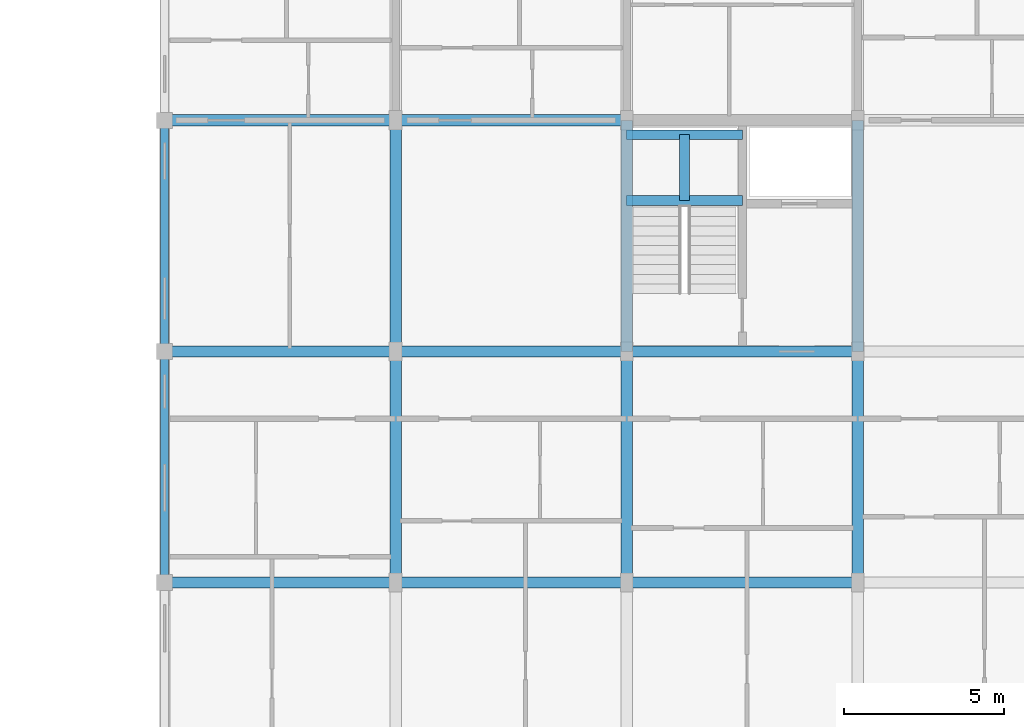
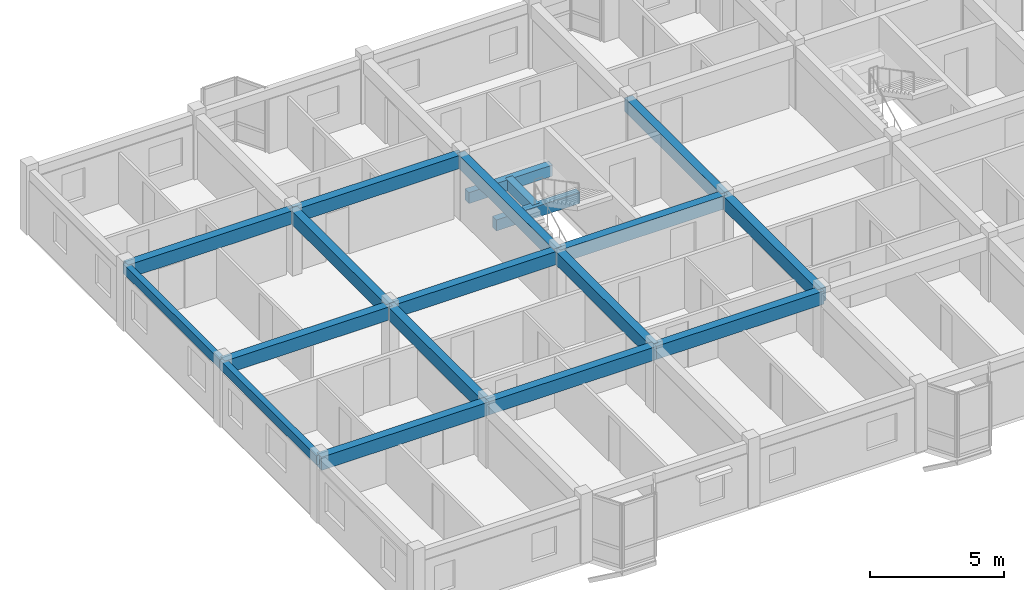
# One storey, part 32 of 70: 19 beams.
"""IFC4 building model written with IfcOpenShell, lengths in metres."""

from ifc_helpers import new_model, si_unit, direction, frame, origin, origin_2d, place, context, subcontext, project, spatial, rectangle, extrude, material, material_profile, profile_set, type_object, element, save


model = new_model("IFC4")

# Units and contexts
model_context = context("Model", 3, precision=1e-05, world=origin(), true_north=direction((0.0, 1.0)))
body_context = subcontext(model_context, "Body", "Model", "MODEL_VIEW")
ifc_project = project(units=[si_unit("LENGTHUNIT", "METRE"), si_unit("AREAUNIT", "SQUARE_METRE"), si_unit("VOLUMEUNIT", "CUBIC_METRE"), si_unit("PLANEANGLEUNIT", "RADIAN"), si_unit("MASSUNIT", "GRAM", prefix="KILO"), si_unit("THERMODYNAMICTEMPERATUREUNIT", "KELVIN"), si_unit("POWERUNIT", "WATT")], contexts=[model_context])

# Site, building, storey
site_placement = place(None, origin())
site = spatial("IfcSite", under=ifc_project, at=site_placement, CompositionType="ELEMENT")
building_placement = place(site_placement, origin())
building = spatial("IfcBuilding", under=site, at=building_placement, Name="Tavuni Mirador Residences", CompositionType="ELEMENT")
storey_placement = place(building_placement, frame((0.0, 0.0, 23.39990234375)))
storey = spatial("IfcBuildingStorey", under=building, at=storey_placement, Name="L07", CompositionType="ELEMENT", Elevation=23.39990234375)

# Beams
ifc_material = material(Name="Precast concrete C40/50", Category="concrete")
ifc_material_profile_1 = material_profile(ifc_material, rectangle(XDim=0.300048828125, YDim=0.5, at=origin_2d()), Name="PC 300x500", Category="concrete")
ifc_profile_set_1 = profile_set([ifc_material_profile_1], Name="Precast concrete C40/50")
beam_type_1 = type_object("IfcBeamType", Name="BT-B500", PredefinedType="BEAM", material=ifc_profile_set_1)
for number, where, z_axis, x_axis, name in (
    (1, (25.199951171875, 163.10009765625, 1.14501953125), (1.0, 0.0, 0.0), (0.0, 1.0, 0.0), "HLB1-C5-L07"),
    (2, (25.199951171875, 165.14990234375, 1.14501953125), (1.0, 0.0, 0.0), (0.0, 1.0, 0.0), "HLB2-C5-L07"),
):
    element("IfcBeam", number, at=place(storey_placement, frame(where, z_axis=z_axis, x_axis=x_axis)), inside=storey, type_object=beam_type_1, Name=name, PredefinedType="BEAM", context=body_context, shape_type="SweptSolid", body=[
        extrude(rectangle(XDim=0.300048828125, YDim=0.5, at=origin_2d()), origin(), (0.0, 0.0, 1.0), 3.60009765625),
    ])
beam_1_placement = place(storey_placement, frame((27.0, 163.10009765625, 1.14501953125), z_axis=(0.0, 1.0, 0.0), x_axis=(-1.0, 0.0, 0.0)))
element("IfcBeam", 3, at=beam_1_placement, inside=storey, type_object=beam_type_1, Name="HLB3-C5-L07", PredefinedType="BEAM", context=body_context, shape_type="SweptSolid", body=[
    extrude(rectangle(XDim=0.300048828125, YDim=0.5, at=origin_2d()), origin(), (0.0, 0.0, 1.0), 2.0498046875),
])
ifc_material_profile_2 = material_profile(ifc_material, rectangle(XDim=0.35009765625, YDim=0.60009765625, at=origin_2d()), Name="PC 350x600", Category="concrete")
ifc_profile_set_2 = profile_set([ifc_material_profile_2], Name="Precast concrete C40/50")
beam_type_2 = type_object("IfcBeamType", Name="BT-B600", PredefinedType="BEAM", material=ifc_profile_set_2)
for number, where, z_axis, x_axis, name in (
    (4, (10.800048828125, 151.199951171875, 2.585205078125), (1.0, 0.0, 0.0), (0.0, 1.0, 0.0), "BMX-BLK-C-L07-00-01"),
    (5, (18.0, 151.199951171875, 2.585205078125), (1.0, 0.0, 0.0), (0.0, 1.0, 0.0), "BMX-BLK-C-L07-01-01"),
    (6, (25.199951171875, 151.199951171875, 2.585205078125), (1.0, 0.0, 0.0), (0.0, 1.0, 0.0), "BMX-BLK-C-L07-02-01"),
    (7, (10.800048828125, 158.39990234375, 2.585205078125), (1.0, 0.0, 0.0), (0.0, 1.0, 0.0), "BMX-BLK-C-L07-00-02"),
    (8, (18.0, 158.39990234375, 2.585205078125), (1.0, 0.0, 0.0), (0.0, 1.0, 0.0), "BMX-BLK-C-L07-01-02"),
    (9, (25.199951171875, 158.39990234375, 2.585205078125), (1.0, 0.0, 0.0), (0.0, 1.0, 0.0), "BMX-BLK-C-L07-02-02"),
    (10, (10.800048828125, 165.60009765625, 2.585205078125), (1.0, 0.0, 0.0), (0.0, 1.0, 0.0), "BMX-BLK-C-L07-00-03"),
    (11, (18.0, 165.60009765625, 2.585205078125), (1.0, 0.0, 0.0), (0.0, 1.0, 0.0), "BMX-BLK-C-L07-01-03"),
    (12, (18.0, 151.199951171875, 2.585205078125), (0.0, 1.0, 0.0), (-1.0, 0.0, 0.0), "BMY-BLK-C-L07-01-01"),
):
    element("IfcBeam", number, at=place(storey_placement, frame(where, z_axis=z_axis, x_axis=x_axis)), inside=storey, type_object=beam_type_2, Name=name, PredefinedType="BEAM", context=body_context, shape_type="SweptSolid", body=[
        extrude(rectangle(XDim=0.35009765625, YDim=0.60009765625, at=origin_2d()), origin(), (0.0, 0.0, 1.0), 7.199951171875),
    ])
beam_2_placement = place(storey_placement, frame((18.0, 158.39990234375, 2.585205078125), z_axis=(0.0, 1.0, 0.0), x_axis=(-1.0, 0.0, 0.0)))
element("IfcBeam", 13, at=beam_2_placement, inside=storey, type_object=beam_type_2, Name="BMY-BLK-C-L07-01-02", PredefinedType="BEAM", context=body_context, shape_type="SweptSolid", body=[
    extrude(rectangle(XDim=0.35009765625, YDim=0.60009765625, at=origin_2d()), origin(), (0.0, 0.0, 1.0), 7.2001953125),
])
beam_3_placement = place(storey_placement, frame((25.199951171875, 151.199951171875, 2.585205078125), z_axis=(0.0, 1.0, 0.0), x_axis=(-1.0, 0.0, 0.0)))
element("IfcBeam", 14, at=beam_3_placement, inside=storey, type_object=beam_type_2, Name="BMY-BLK-C-L07-02-01", PredefinedType="BEAM", context=body_context, shape_type="SweptSolid", body=[
    extrude(rectangle(XDim=0.35009765625, YDim=0.60009765625, at=origin_2d()), origin(), (0.0, 0.0, 1.0), 7.199951171875),
])
beam_4_placement = place(storey_placement, frame((25.199951171875, 158.39990234375, 2.585205078125), z_axis=(0.0, 1.0, 0.0), x_axis=(-1.0, 0.0, 0.0)))
element("IfcBeam", 15, at=beam_4_placement, inside=storey, type_object=beam_type_2, Name="BMY-BLK-C-L07-02-02", PredefinedType="BEAM", context=body_context, shape_type="SweptSolid", body=[
    extrude(rectangle(XDim=0.35009765625, YDim=0.60009765625, at=origin_2d()), origin(), (0.0, 0.0, 1.0), 7.2001953125),
])
beam_5_placement = place(storey_placement, frame((32.39990234375, 151.199951171875, 2.585205078125), z_axis=(0.0, 1.0, 0.0), x_axis=(-1.0, 0.0, 0.0)))
element("IfcBeam", 16, at=beam_5_placement, inside=storey, type_object=beam_type_2, Name="BMY-BLK-C-L07-03-01", PredefinedType="BEAM", context=body_context, shape_type="SweptSolid", body=[
    extrude(rectangle(XDim=0.35009765625, YDim=0.60009765625, at=origin_2d()), origin(), (0.0, 0.0, 1.0), 7.199951171875),
])
beam_6_placement = place(storey_placement, frame((32.39990234375, 158.39990234375, 2.585205078125), z_axis=(0.0, 1.0, 0.0), x_axis=(-1.0, 0.0, 0.0)))
element("IfcBeam", 17, at=beam_6_placement, inside=storey, type_object=beam_type_2, Name="BMY-BLK-C-L07-03-02", PredefinedType="BEAM", context=body_context, shape_type="SweptSolid", body=[
    extrude(rectangle(XDim=0.35009765625, YDim=0.60009765625, at=origin_2d()), origin(), (0.0, 0.0, 1.0), 7.2001953125),
])
ifc_material_profile_3 = material_profile(ifc_material, rectangle(XDim=0.25, YDim=0.419921875, at=origin_2d()), Name="PC 250x420", Category="concrete")
ifc_profile_set_3 = profile_set([ifc_material_profile_3], Name="Precast concrete C40/50")
beam_type_3 = type_object("IfcBeamType", Name="BT-SP420", PredefinedType="SPANDREL", material=ifc_profile_set_3)
beam_7_placement = place(storey_placement, frame((10.800048828125, 151.199951171875, 2.675048828125), z_axis=(0.0, 1.0, 0.0), x_axis=(-1.0, 0.0, 0.0)))
element("IfcBeam", 18, at=beam_7_placement, inside=storey, type_object=beam_type_3, Name="BMY-BLK-C-L07-00-01", PredefinedType="SPANDREL", context=body_context, shape_type="SweptSolid", body=[
    extrude(rectangle(XDim=0.25, YDim=0.419921875, at=origin_2d()), origin(), (0.0, 0.0, 1.0), 7.199951171875),
])
beam_8_placement = place(storey_placement, frame((10.800048828125, 158.39990234375, 2.675048828125), z_axis=(0.0, 1.0, 0.0), x_axis=(-1.0, 0.0, 0.0)))
element("IfcBeam", 19, at=beam_8_placement, inside=storey, type_object=beam_type_3, Name="BMY-BLK-C-L07-00-02", PredefinedType="SPANDREL", context=body_context, shape_type="SweptSolid", body=[
    extrude(rectangle(XDim=0.25, YDim=0.419921875, at=origin_2d()), origin(), (0.0, 0.0, 1.0), 7.2001953125),
])

save(model, "model.ifc")
